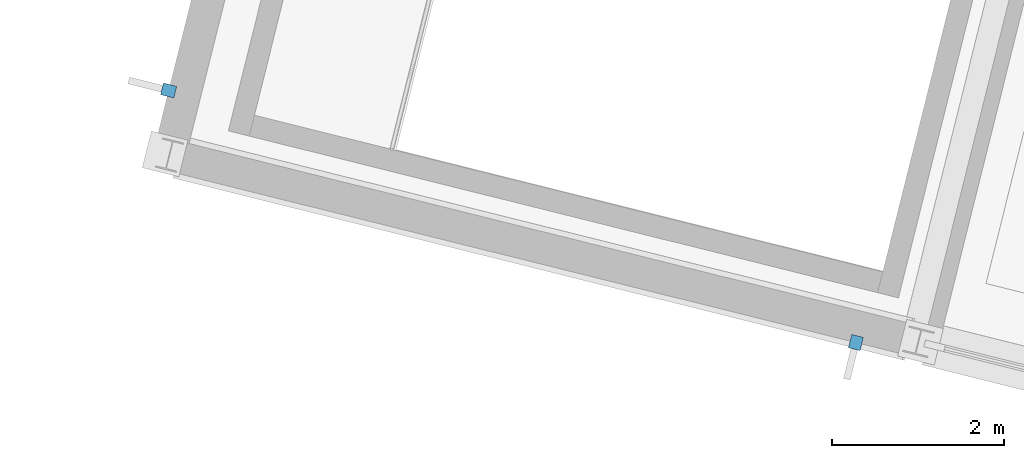
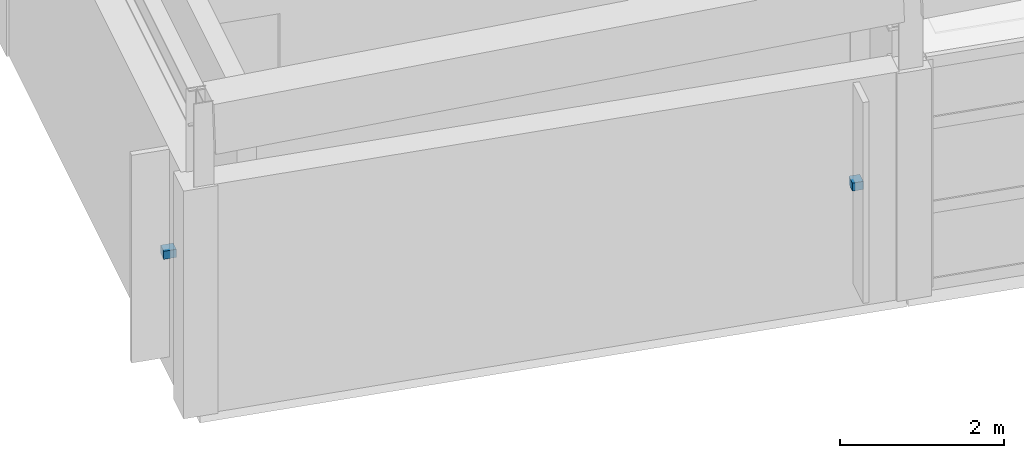
# One storey, part 26 of 27: 2 discrete accessories.
"""IFC4 building model written with IfcOpenShell, lengths in metres."""

from ifc_helpers import new_model, si_unit, direction, frame, origin, origin_2d, place, context, subcontext, project, spatial, rectangle, extrude, material, type_object, element, save


model = new_model("IFC4")

# Units and contexts
model_context = context("Model", 3, precision=1e-05, world=origin(), true_north=direction((0.0, 1.0)))
body_context = subcontext(model_context, "Body", "Model", "MODEL_VIEW")
ifc_project = project(units=[si_unit("LENGTHUNIT", "METRE"), si_unit("AREAUNIT", "SQUARE_METRE"), si_unit("VOLUMEUNIT", "CUBIC_METRE"), si_unit("PLANEANGLEUNIT", "RADIAN"), si_unit("MASSUNIT", "GRAM", prefix="KILO")], contexts=[model_context])

# Site, building, storey
site_placement = place(None, origin())
site = spatial("IfcSite", under=ifc_project, at=site_placement, CompositionType="ELEMENT")
building_placement = place(site_placement, origin())
building = spatial("IfcBuilding", under=site, at=building_placement, Name="Vireo Bluff Cable Station", CompositionType="ELEMENT")
storey_placement = place(building_placement, frame((0.0, 0.0, 19.199951171875)))
storey = spatial("IfcBuildingStorey", under=building, at=storey_placement, Name="L04", CompositionType="ELEMENT", Elevation=19.199951171875)

# Discrete accessories
ifc_material = material(Name="Stainless Steel 316", Category="steel")
discrete_accessory_type = type_object("IfcDiscreteAccessoryType", Name="FACADE-BRACKET-01", PredefinedType="BRACKET", material=ifc_material)
for number, where, z_axis, x_axis, name in (
    (1, (62.00439453125, 35.813720703125, 1.7900390625), (0.0, 0.0, 1.0), (-0.970295733771, 0.24192186554, 0.0), "V1 L04 solar fin bracket 9"),
    (2, (53.991943359375, 38.7529296875, 1.7900390625), (0.0, 0.0, 1.0), (0.241921868487, 0.970295733036, 0.0), "V1 L04 solar fin bracket 10"),
):
    element("IfcDiscreteAccessory", number, at=place(storey_placement, frame(where, z_axis=z_axis, x_axis=x_axis)), inside=storey, type_object=discrete_accessory_type, Name=name, PredefinedType="BRACKET", context=body_context, shape_type="SweptSolid", body=[
        extrude(rectangle(XDim=0.139892578125, YDim=0.159912109375, at=origin_2d()), origin(), (0.0, 0.0, 1.0), 0.1201171875),
    ])

save(model, "model.ifc")
